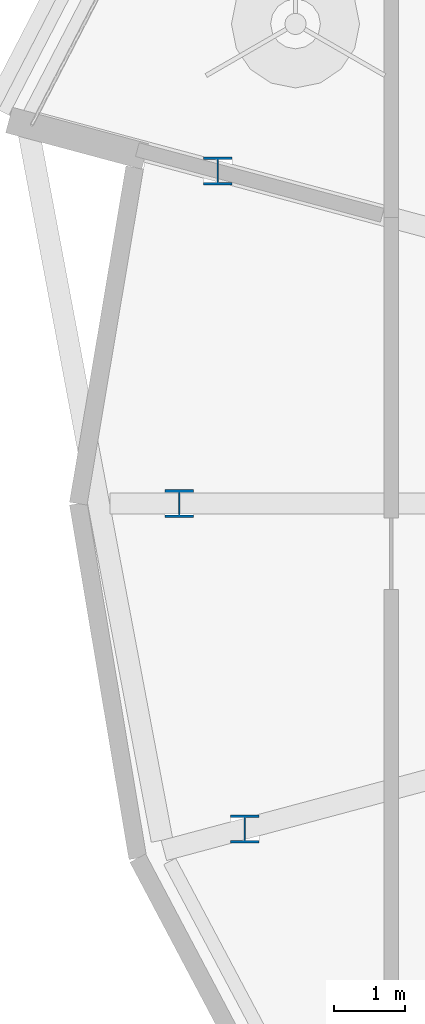
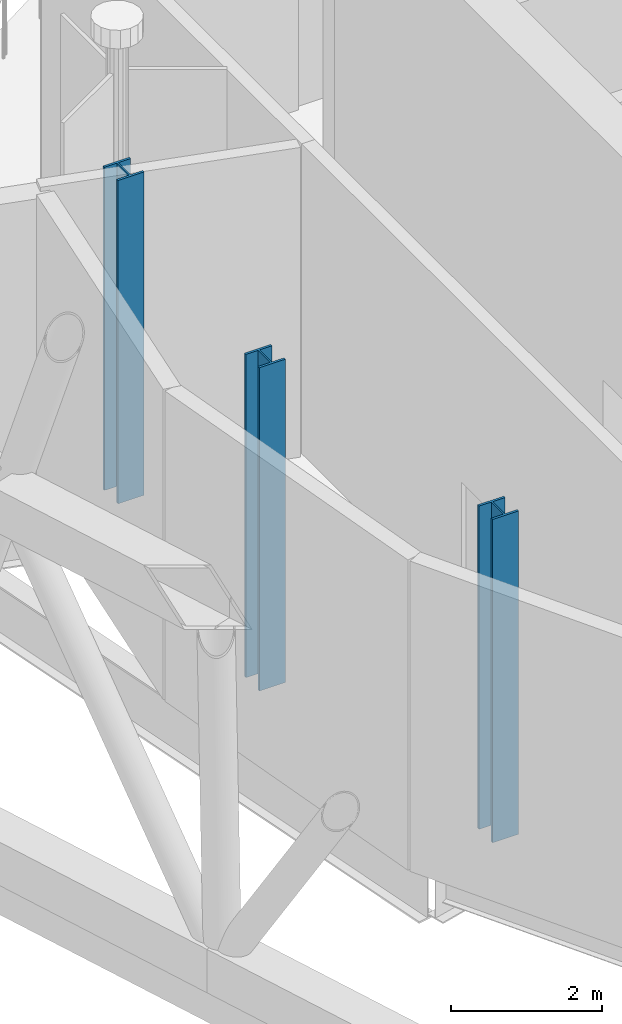
# One storey, part 1 of 22: 3 columns.
"""IFC4 building model written with IfcOpenShell, lengths in metres."""

from ifc_helpers import new_model, si_unit, direction, frame, origin, origin_2d, place, context, subcontext, project, spatial, i_section, extrude, material, material_profile, profile_set, type_object, element, save


model = new_model("IFC4")

# Units and contexts
model_context = context("Model", 3, precision=1e-05, world=origin(), true_north=direction((0.0, 1.0)))
body_context = subcontext(model_context, "Body", "Model", "MODEL_VIEW")
ifc_project = project(units=[si_unit("LENGTHUNIT", "METRE"), si_unit("AREAUNIT", "SQUARE_METRE"), si_unit("VOLUMEUNIT", "CUBIC_METRE"), si_unit("PLANEANGLEUNIT", "RADIAN"), si_unit("MASSUNIT", "GRAM", prefix="KILO")], contexts=[model_context])

# Site, building, storey
site_placement = place(None, origin())
site = spatial("IfcSite", under=ifc_project, at=site_placement, CompositionType="ELEMENT")
building_placement = place(site_placement, origin())
building = spatial("IfcBuilding", under=site, at=building_placement, Name="Rimbun Link Towers", CompositionType="ELEMENT")
storey_placement = place(building_placement, frame((0.0, 0.0, 204.5)))
storey = spatial("IfcBuildingStorey", under=building, at=storey_placement, Name="L50", CompositionType="ELEMENT", Elevation=204.5)

# Columns
ifc_material = material(Name="Steel S355J2", Category="steel")
ifc_material_profile = material_profile(ifc_material, i_section(OverallWidth=0.39892578125, OverallDepth=0.3935546875, WebThickness=0.022705078125, FlangeThickness=0.03662109375, at=origin_2d()), Name="UC 356x406x287")
ifc_profile_set = profile_set([ifc_material_profile], Name="Steel S355J2")
column_type = type_object("IfcColumnType", Name="UC 356x406x287", PredefinedType="COLUMN", material=ifc_profile_set)
for number, where, z_axis, x_axis, name in (
    (1, (-49.18994140625, 4.673095703125, -0.199951171875), (0.0, 0.0, 1.0), (1.0, 0.0, 0.0), "Crease post T1 L50 11"),
    (2, (-49.72998046875, 0.0, -0.199951171875), (0.0, 0.0, 1.0), (1.0, 0.0, 0.0), "Crease post T1 L50 12"),
    (3, (-48.8076171875, -4.570556640625, -0.199951171875), (0.0, 0.0, 1.0), (1.0, 0.0, 0.0), "Crease post T1 L50 13"),
):
    element("IfcColumn", number, at=place(storey_placement, frame(where, z_axis=z_axis, x_axis=x_axis)), inside=storey, type_object=column_type, Name=name, PredefinedType="COLUMN", context=body_context, shape_type="SweptSolid", body=[
        extrude(i_section(OverallWidth=0.39892578125, OverallDepth=0.3935546875, WebThickness=0.022705078125, FlangeThickness=0.03662109375, at=origin_2d()), origin(), (0.0, 0.0, 1.0), 5.21923828125),
    ])

save(model, "model.ifc")
